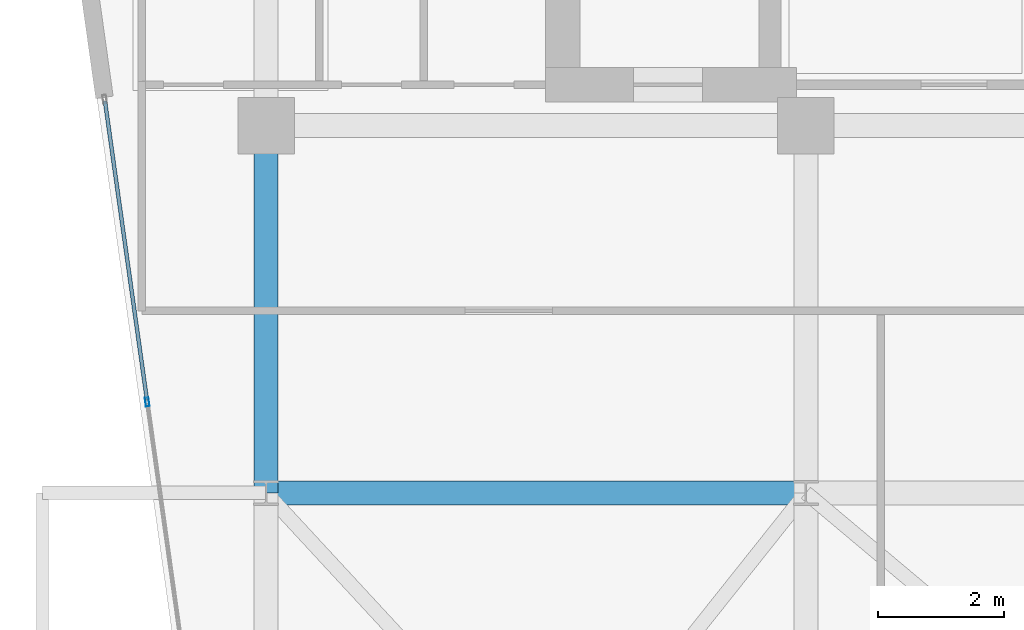
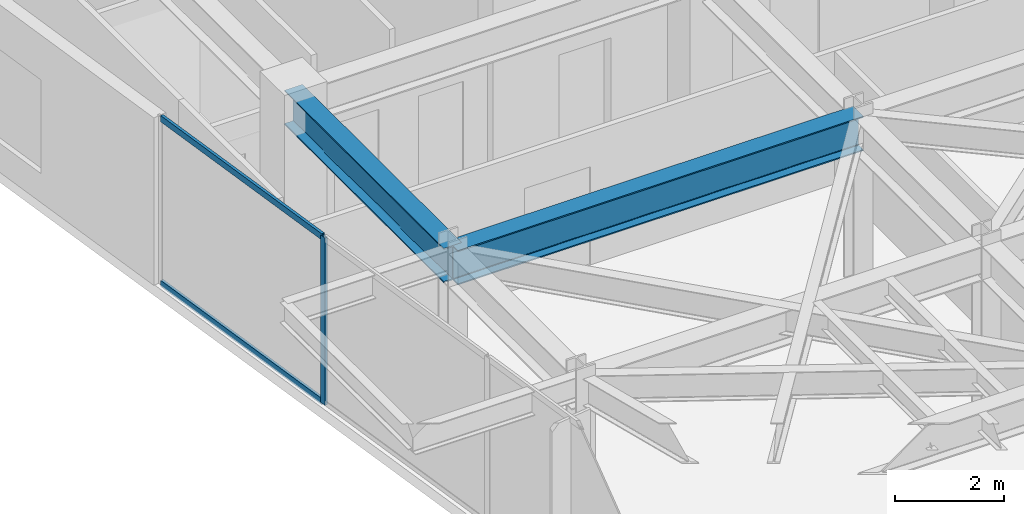
# One storey, part 10 of 27: 3 members, 2 beams, 1 element without a shape of its own.
"""IFC4 building model written with IfcOpenShell, lengths in metres."""

import ifcopenshell
import ifcopenshell.guid

model = None  # the IFC model being written
_history = None  # IfcOwnerHistory: only IFC2X3 demands one
_inside = {}  # id of a spatial element -> (the spatial element, [elements in it])
_under = {}  # id of a project, library or spatial element -> (it, [spatial elements below it])
_declared = {}  # id of a project -> (the project, [libraries it declares])
_typed = {}  # id of a type object -> (the type object, [elements of that type])
_made_of = {}  # id of a material, layer set ... -> (it, [elements and type objects made of it])


def new_model(schema):
    """Start an empty IFC model of exactly this schema.

    Asked for "IFC4X3", IfcOpenShell would pick the latest addendum, in which some entities
    have other attributes; the version numbers below select the first issue.
    IFC2X3 requires an IfcOwnerHistory on every rooted entity: one is made here for all.
    """
    global model, _history
    if schema == "IFC4X3":
        model = ifcopenshell.file(schema_version=(4, 3, 0, 0))
    else:
        model = ifcopenshell.file(schema=schema)
    _inside.clear()
    _under.clear()
    _declared.clear()
    _typed.clear()
    _made_of.clear()
    _history = None
    if model.schema == "IFC2X3":
        org = make("IfcOrganization", Name="unknown")
        user = make(
            "IfcPersonAndOrganization",
            ThePerson=make("IfcPerson", FamilyName="unknown"),
            TheOrganization=org,
        )
        app = make(
            "IfcApplication",
            ApplicationDeveloper=org,
            Version="unknown",
            ApplicationFullName="unknown",
            ApplicationIdentifier="unknown",
        )
        _history = make(
            "IfcOwnerHistory",
            OwningUser=user,
            OwningApplication=app,
            ChangeAction="ADDED",
            CreationDate=0,
        )
    return model


def make(cls, **values):
    """One entity of the class cls with the attributes given. An attribute that is None is left unset."""
    return model.create_entity(
        cls, **{name: value for name, value in values.items() if value is not None}
    )


def rooted(cls, **values):
    """An entity with a GlobalId (a new one), such as an element, a storey or a relation."""
    return make(cls, GlobalId=ifcopenshell.guid.new(), OwnerHistory=_history, **values)


def si_unit(unit_type, name, prefix=None):
    """IfcSIUnit, for example si_unit("LENGTHUNIT", "METRE", prefix="MILLI")."""
    return make("IfcSIUnit", UnitType=unit_type, Prefix=prefix, Name=name)


def assignment(units):
    """IfcUnitAssignment: the units of a project."""
    return None if units is None else make("IfcUnitAssignment", Units=units)


def point(xyz):
    """IfcCartesianPoint."""
    return None if xyz is None else make("IfcCartesianPoint", Coordinates=xyz)


def direction(xyz):
    """IfcDirection."""
    return None if xyz is None else make("IfcDirection", DirectionRatios=xyz)


def frame(location, z_axis=None, x_axis=None):
    """IfcAxis2Placement3D, a coordinate frame: its origin and axes. An axis left out is left unset."""
    return make(
        "IfcAxis2Placement3D",
        Location=point(location),
        Axis=direction(z_axis),
        RefDirection=direction(x_axis),
    )


def frame_2d(location, x_axis=None):
    """IfcAxis2Placement2D, a coordinate frame in the plane: its origin and x axis."""
    return make(
        "IfcAxis2Placement2D", Location=point(location), RefDirection=direction(x_axis)
    )


def origin():
    """The frame at (0, 0, 0) with its axes left unset."""
    return frame((0.0, 0.0, 0.0))


def origin_2d():
    """The frame at (0, 0) in the plane with its x axis left unset."""
    return frame_2d((0.0, 0.0))


def place(relative_to, where):
    """IfcLocalPlacement: puts the frame where relative to a parent placement (None: the world)."""
    return make(
        "IfcLocalPlacement", PlacementRelTo=relative_to, RelativePlacement=where
    )


def context(
    kind, dimensions, precision=None, world=None, true_north=None, identifier=None
):
    """IfcGeometricRepresentationContext, for example the 3D "Model" context."""
    return make(
        "IfcGeometricRepresentationContext",
        ContextIdentifier=identifier,
        ContextType=kind,
        CoordinateSpaceDimension=dimensions,
        Precision=precision,
        WorldCoordinateSystem=world,
        TrueNorth=true_north,
    )


def subcontext(parent, identifier, kind, view, scale=None):
    """IfcGeometricRepresentationSubContext, for example "Body" below "Model"."""
    return make(
        "IfcGeometricRepresentationSubContext",
        ContextIdentifier=identifier,
        ContextType=kind,
        ParentContext=parent,
        TargetScale=scale,
        TargetView=view,
    )


def project(units=None, contexts=None):
    """IfcProject with its units and contexts."""
    return rooted(
        "IfcProject",
        Name="project",
        RepresentationContexts=contexts,
        UnitsInContext=assignment(units),
    )


def spatial(cls, under=None, at=None, **own):
    """A site, building, storey or space (cls), placed at a placement, below another one or the project."""
    s = rooted(cls, ObjectPlacement=at, **own)
    if under is not None:
        _under.setdefault(under.id(), (under, []))[1].append(s)
    return s


def profile(cls, at=None, kind="AREA", **sizes):
    """A parametric profile (cls). Its sizes go by their IFC names, for example OverallWidth=200.0."""
    return make(cls, ProfileType=kind, Position=at, **sizes)


def hollow_rectangle(**sizes):
    """IfcRectangleHollowProfileDef."""
    return profile("IfcRectangleHollowProfileDef", **sizes)


def i_section(**sizes):
    """IfcIShapeProfileDef."""
    return profile("IfcIShapeProfileDef", **sizes)


def extrude(swept, where, along, depth):
    """IfcExtrudedAreaSolid: the profile swept, set in the frame where, extruded along a direction by depth."""
    return make(
        "IfcExtrudedAreaSolid",
        SweptArea=swept,
        Position=where,
        ExtrudedDirection=direction(along),
        Depth=depth,
    )


def shape(context_of_items, identifier, shape_type, items):
    """IfcShapeRepresentation: the items that make up one representation, for example the "Body"."""
    return make(
        "IfcShapeRepresentation",
        ContextOfItems=context_of_items,
        RepresentationIdentifier=identifier,
        RepresentationType=shape_type,
        Items=items,
    )


def material(Name=None, Category=None):
    """IfcMaterial."""
    return make("IfcMaterial", Name=Name, Category=Category)


def layer(
    of_material, thickness, ventilated=None, Name=None, Category=None, Priority=None
):
    """IfcMaterialLayer: one layer of a wall or slab, of a material (None: an air gap)."""
    return make(
        "IfcMaterialLayer",
        Material=of_material,
        LayerThickness=thickness,
        IsVentilated=ventilated,
        Name=Name,
        Category=Category,
        Priority=Priority,
    )


def layer_set(layers, Name=None):
    """IfcMaterialLayerSet."""
    return make("IfcMaterialLayerSet", MaterialLayers=layers, LayerSetName=Name)


def material_profile(
    of_material, cross_section, Name=None, Category=None, Priority=None
):
    """IfcMaterialProfile: a cross section and its material."""
    return make(
        "IfcMaterialProfile",
        Name=Name,
        Material=of_material,
        Profile=cross_section,
        Priority=Priority,
        Category=Category,
    )


def profile_set(profiles, Name=None, composite=None):
    """IfcMaterialProfileSet."""
    return make(
        "IfcMaterialProfileSet",
        Name=Name,
        MaterialProfiles=profiles,
        CompositeProfile=composite,
    )


def made_of(thing, what):
    """Note that an element or type object is made of a material, layer set ...; save() writes the relation."""
    if what is not None:
        _made_of.setdefault(what.id(), (what, []))[1].append(thing)
    return thing


def type_object(cls, material=None, **own):
    """A type object (cls), such as IfcWallType, which elements share."""
    return made_of(rooted(cls, **own), material)


def element(
    cls,
    number,
    at=None,
    inside=None,
    cuts=None,
    type_object=None,
    material=None,
    context=None,
    identifier="Body",
    shape_type=None,
    held_by="IfcProductDefinitionShape",
    body=None,
    shapes=None,
    **own,
):
    """One element of the class cls, such as IfcWall. Its Tag is "e" and its number.

    at: its placement. inside: the storey or other place that contains it. cuts: it is an
    opening in that element (IfcRelVoidsElement). A single representation is given by context,
    identifier, shape_type and body (its items); several are given by shapes. held_by: the class
    of the entity that holds the representations. save() writes the other relations.
    """
    e = rooted(cls, Tag="e%d" % number, ObjectPlacement=at, **own)
    if body is not None:
        shapes = [shape(context, identifier, shape_type, body)]
    if shapes is not None:
        e.Representation = make(held_by, Representations=shapes)
    if inside is not None:
        _inside.setdefault(inside.id(), (inside, []))[1].append(e)
    if cuts is not None:
        rooted(
            "IfcRelVoidsElement", RelatingBuildingElement=cuts, RelatedOpeningElement=e
        )
    if type_object is not None:
        _typed.setdefault(type_object.id(), (type_object, []))[1].append(e)
    return made_of(e, material)


def aggregate(whole, parts):
    """IfcRelAggregates: a whole, such as a stair, and the parts it consists of."""
    return rooted("IfcRelAggregates", RelatingObject=whole, RelatedObjects=parts)


def save(model, path):
    """Write the relations noted so far, then the file.

    IfcRelAggregates (storeys below a building ...), IfcRelContainedInSpatialStructure (elements
    in a storey), IfcRelDefinesByType, IfcRelAssociatesMaterial and IfcRelDeclares: one each for
    every whole, place, type object, material and project.
    """
    for whole, parts in _under.values():
        aggregate(whole, parts)
    for where, things in _inside.values():
        rooted(
            "IfcRelContainedInSpatialStructure",
            RelatedElements=things,
            RelatingStructure=where,
        )
    for kind, things in _typed.values():
        rooted("IfcRelDefinesByType", RelatedObjects=things, RelatingType=kind)
    for what, things in _made_of.values():
        rooted("IfcRelAssociatesMaterial", RelatedObjects=things, RelatingMaterial=what)
    for by, libraries in _declared.values():
        rooted("IfcRelDeclares", RelatingContext=by, RelatedDefinitions=libraries)
    model.write(path)


model = new_model("IFC4")

# Units and contexts
model_context = context("Model", 3, precision=1e-05, world=origin(), true_north=direction((0.0, 1.0)))
body_context = subcontext(model_context, "Body", "Model", "MODEL_VIEW")
ifc_project = project(units=[si_unit("LENGTHUNIT", "METRE"), si_unit("AREAUNIT", "SQUARE_METRE"), si_unit("VOLUMEUNIT", "CUBIC_METRE"), si_unit("PLANEANGLEUNIT", "RADIAN"), si_unit("MASSUNIT", "GRAM", prefix="KILO")], contexts=[model_context])

# Site, building, storey
site_placement = place(None, origin())
site = spatial("IfcSite", under=ifc_project, at=site_placement, CompositionType="ELEMENT")
building_placement = place(site_placement, origin())
building = spatial("IfcBuilding", under=site, at=building_placement, Name="Kravanh Interchange Tower", CompositionType="ELEMENT")
storey_placement = place(building_placement, frame((0.0, 0.0, 196.5)))
storey = spatial("IfcBuildingStorey", under=building, at=storey_placement, Name="L47", CompositionType="ELEMENT", Elevation=196.5)

# Curtain wall, members
ifc_material_1 = material(Name="Anodised Bronze Aluminium", Category="aluminium")
ifc_layer = layer(ifc_material_1, 0.179931640625)
ifc_layer_set = layer_set([ifc_layer], Name="Unitised Curtain Wall System CW-Z3 Upper Office")
curtain_wall_type = type_object("IfcCurtainWallType", Name="Unitised Curtain Wall System CW-Z3 Upper Office", PredefinedType="NOTDEFINED", material=ifc_layer_set)
curtain_wall_placement = place(storey_placement, origin())
curtain_wall = element("IfcCurtainWall", 1, at=curtain_wall_placement, inside=storey, type_object=curtain_wall_type, Name="L47 Unitised Curtain Wall CW-L47-01", PredefinedType="NOTDEFINED")
ifc_material_2 = material(Name="Anodised Bronze Aluminium", Category="aluminium")
ifc_material_profile_1 = material_profile(ifc_material_2, hollow_rectangle(XDim=0.06005859375, YDim=0.139892578125, WallThickness=0.00390625, at=origin_2d()), Name="ALU60X140X4")
ifc_profile_set_1 = profile_set([ifc_material_profile_1], Name="Anodised Bronze Aluminium")
member_type_1 = type_object("IfcMemberType", Name="Curtain Wall Mullion ALU60X140X4 Bronze", PredefinedType="MULLION", material=ifc_profile_set_1)
member_1_placement = place(storey_placement, frame((16.706787109375, 32.9482421875, 0.0), z_axis=(0.0, 0.0, 1.0), x_axis=(-0.990268194035, -0.139172209446, 0.0)))
member_1 = element("IfcMember", 2, at=member_1_placement, type_object=member_type_1, Name="CW-Z3 mullion 5", PredefinedType="MULLION", context=body_context, shape_type="SweptSolid", body=[
    extrude(hollow_rectangle(XDim=0.06005859375, YDim=0.139892578125, WallThickness=0.00390625, at=origin_2d()), origin(), (0.0, 0.0, 1.0), 3.7548828125),
])
ifc_material_3 = material(Name="Anodised Bronze Aluminium", Category="aluminium")
ifc_material_profile_2 = material_profile(ifc_material_3, hollow_rectangle(XDim=0.06005859375, YDim=0.139892578125, WallThickness=0.00390625, at=origin_2d()), Name="ALU60X140X4")
ifc_profile_set_2 = profile_set([ifc_material_profile_2], Name="Anodised Bronze Aluminium")
member_type_2 = type_object("IfcMemberType", Name="Curtain Wall Transom ALU60X140X4 Bronze", PredefinedType="USERDEFINED", material=ifc_profile_set_2)
member_2_placement = place(storey_placement, frame((16.70263671875, 32.977783203125, 0.030029296875), z_axis=(-0.139139718803, 0.990272759724, 0.0), x_axis=(-0.990272759724, -0.139139718803, 0.0)))
member_2 = element("IfcMember", 3, at=member_2_placement, type_object=member_type_2, Name="CW-Z3 transom 5.1", ObjectType="TRANSOM", PredefinedType="USERDEFINED", context=body_context, shape_type="SweptSolid", body=[
    extrude(hollow_rectangle(XDim=0.06005859375, YDim=0.139892578125, WallThickness=0.00390625, at=origin_2d()), origin(), (0.0, 0.0, 1.0), 4.8095703125),
])
member_3_placement = place(storey_placement, frame((16.70263671875, 32.977783203125, 3.72509765625), z_axis=(-0.139139718803, 0.990272759724, 0.0), x_axis=(-0.990272759724, -0.139139718803, 0.0)))
member_3 = element("IfcMember", 4, at=member_3_placement, type_object=member_type_2, Name="CW-Z3 transom 5.2", ObjectType="TRANSOM", PredefinedType="USERDEFINED", context=body_context, shape_type="SweptSolid", body=[
    extrude(hollow_rectangle(XDim=0.06005859375, YDim=0.139892578125, WallThickness=0.00390625, at=origin_2d()), origin(), (0.0, 0.0, 1.0), 4.8095703125),
])
aggregate(curtain_wall, [member_1, member_2, member_3])

# Beams
ifc_material_4 = material(Name="Structural Steel S355", Category="steel")
ifc_material_profile_3 = material_profile(ifc_material_4, i_section(OverallWidth=0.381103515625, OverallDepth=0.77294921875, WebThickness=0.0166015625, FlangeThickness=0.027099609375, FilletRadius=0.02490234375, at=origin_2d()), Name="W30X173")
ifc_profile_set_3 = profile_set([ifc_material_profile_3], Name="Structural Steel S355")
beam_type = type_object("IfcBeamType", Name="Floor Beam W30X173 Structural Steel S355", PredefinedType="BEAM", material=ifc_profile_set_3)
beam_1_placement = place(storey_placement, frame((18.60009765625, 37.35009765625, 3.368408203125), z_axis=(0.0, -1.0, 0.0), x_axis=(1.0, 0.0, 0.0)))
element("IfcBeam", 5, at=beam_1_placement, inside=storey, type_object=beam_type, Name="L47 Primary Floor Girder 28", PredefinedType="BEAM", context=body_context, shape_type="SweptSolid", body=[
    extrude(i_section(OverallWidth=0.381103515625, OverallDepth=0.77294921875, WebThickness=0.0166015625, FlangeThickness=0.027099609375, FilletRadius=0.02490234375, at=origin_2d()), origin(), (0.0, 0.0, 1.0), 5.85009765625),
])
beam_2_placement = place(storey_placement, frame((18.60009765625, 31.5, 3.368408203125), z_axis=(1.0, 0.0, 0.0), x_axis=(0.0, 1.0, 0.0)))
element("IfcBeam", 6, at=beam_2_placement, inside=storey, type_object=beam_type, Name="L47 Primary Floor Girder 61", PredefinedType="BEAM", context=body_context, shape_type="SweptSolid", body=[
    extrude(i_section(OverallWidth=0.381103515625, OverallDepth=0.77294921875, WebThickness=0.0166015625, FlangeThickness=0.027099609375, FilletRadius=0.02490234375, at=origin_2d()), origin(), (0.0, 0.0, 1.0), 8.599853515625),
])

save(model, "model.ifc")
